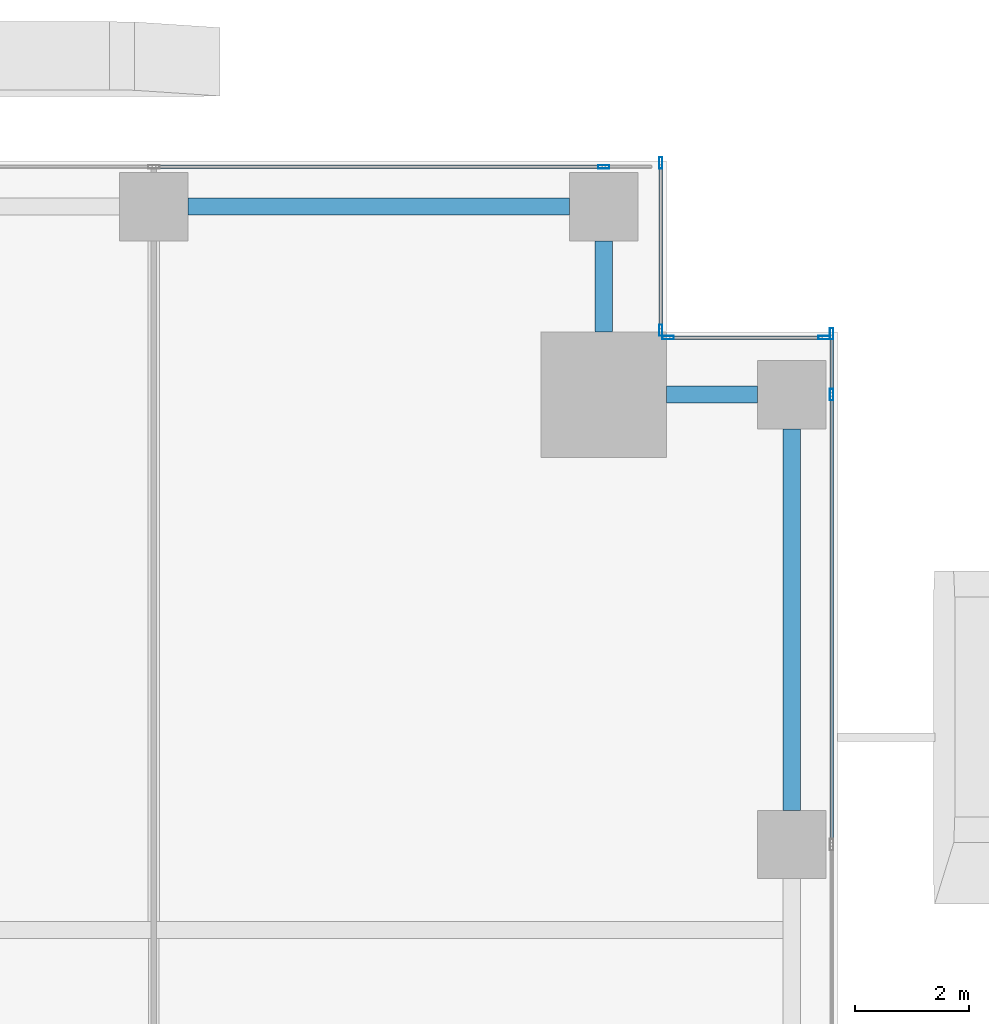
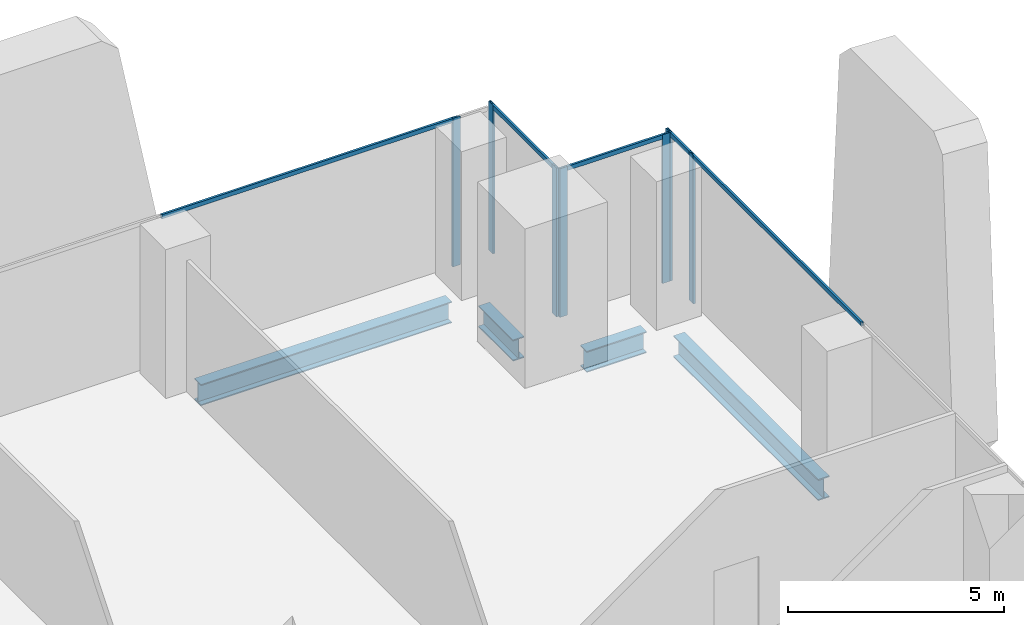
# One storey, part 20 of 34: 12 members, 4 beams, 4 elements without a shape of their own.
"""IFC4 building model written with IfcOpenShell, lengths in metres."""

from ifc_helpers import new_model, si_unit, direction, frame, origin, origin_2d, place, context, subcontext, project, spatial, hollow_rectangle, i_section, extrude, source, transform, mapped, material, material_profile, profile_set, type_object, element, aggregate, save


model = new_model("IFC4")

# Units and contexts
model_context = context("Model", 3, precision=1e-05, world=origin(), true_north=direction((0.0, 1.0)))
body_context = subcontext(model_context, "Body", "Model", "MODEL_VIEW")
ifc_project = project(units=[si_unit("LENGTHUNIT", "METRE"), si_unit("AREAUNIT", "SQUARE_METRE"), si_unit("VOLUMEUNIT", "CUBIC_METRE"), si_unit("PLANEANGLEUNIT", "RADIAN"), si_unit("MASSUNIT", "GRAM", prefix="KILO")], contexts=[model_context])

# Site, building, storey
site_placement = place(None, origin())
site = spatial("IfcSite", under=ifc_project, at=site_placement, CompositionType="ELEMENT")
building_placement = place(site_placement, origin())
building = spatial("IfcBuilding", under=site, at=building_placement, Name="Khomas Fold Tower", CompositionType="ELEMENT")
storey_placement = place(building_placement, frame((0.0, 0.0, 51.0)))
storey = spatial("IfcBuildingStorey", under=building, at=storey_placement, Name="L10", CompositionType="ELEMENT", Elevation=51.0)

# Beams
ifc_material_1 = material(Name="Steel S355", Category="steel")
ifc_material_profile_1 = material_profile(ifc_material_1, i_section(OverallWidth=0.300048828125, OverallDepth=0.60009765625, WebThickness=0.015380859375, FlangeThickness=0.030029296875, at=origin_2d()), Name="HE 600 B")
ifc_profile_set_1 = profile_set([ifc_material_profile_1], Name="Steel S355")
beam_type = type_object("IfcBeamType", Name="HE 600 B spandrel SB1", PredefinedType="SPANDREL", material=ifc_profile_set_1)
shared_shape_1 = source(origin(), body_context, "Body", "SweptSolid", [
    extrude(i_section(OverallWidth=0.300048828125, OverallDepth=0.60009765625, WebThickness=0.015380859375, FlangeThickness=0.030029296875, at=origin_2d()), origin(), (0.0, 0.0, 1.0), 6.699951171875),
])
for number, where, z_axis, x_axis, name in (
    (1, (53.199951171875, 42.60009765625, -0.60009765625), (0.0, 1.0, 0.0), (-1.0, 0.0, 0.0), "SB1"),
    (2, (42.60009765625, 53.199951171875, -0.60009765625), (1.0, 0.0, 0.0), (0.0, 1.0, 0.0), "SB1"),
):
    element("IfcBeam", number, at=place(storey_placement, frame(where, z_axis=z_axis, x_axis=x_axis)), inside=storey, type_object=beam_type, Name=name, PredefinedType="SPANDREL", context=body_context, shape_type="MappedRepresentation", body=[
        mapped(shared_shape_1, transform((0.0, 0.0, 0.0))),
    ])
shared_shape_2 = source(origin(), body_context, "Body", "SweptSolid", [
    extrude(i_section(OverallWidth=0.300048828125, OverallDepth=0.60009765625, WebThickness=0.015380859375, FlangeThickness=0.030029296875, at=origin_2d()), origin(), (0.0, 0.0, 1.0), 1.60009765625),
])
for number, where, z_axis, x_axis, name in (
    (3, (51.0, 49.89990234375, -0.60009765625), (1.0, 0.0, 0.0), (0.0, 1.0, 0.0), "SB1"),
    (4, (49.89990234375, 51.0, -0.60009765625), (0.0, 1.0, 0.0), (-1.0, 0.0, 0.0), "SB1"),
):
    element("IfcBeam", number, at=place(storey_placement, frame(where, z_axis=z_axis, x_axis=x_axis)), inside=storey, type_object=beam_type, Name=name, PredefinedType="SPANDREL", context=body_context, shape_type="MappedRepresentation", body=[
        mapped(shared_shape_2, transform((0.0, 0.0, 0.0))),
    ])

# Curtain wall, member
ifc_material_2 = material(Name="Aluminium framed double glazing", Category="aluminium")
curtain_wall_type = type_object("IfcCurtainWallType", Name="SK-Unitised clear-glass wall, growing floors CW1", PredefinedType="NOTDEFINED", material=ifc_material_2)
curtain_wall_1_placement = place(storey_placement, origin())
curtain_wall_1 = element("IfcCurtainWall", 5, at=curtain_wall_1_placement, inside=storey, type_object=curtain_wall_type, Name="CW1 run L10 03-0", PredefinedType="NOTDEFINED")
ifc_material_3 = material(Name="Aluminium", Category="aluminium")
ifc_material_profile_2 = material_profile(ifc_material_3, hollow_rectangle(XDim=0.06005859375, YDim=0.1201171875, WallThickness=0.00390625, at=origin_2d()), Name="SK-Unitised clear-glass wall, growing floors transom CW1-T")
ifc_profile_set_2 = profile_set([ifc_material_profile_2], Name="Aluminium")
member_type_1 = type_object("IfcMemberType", Name="SK-Unitised clear-glass wall, growing floors transom CW1-T", PredefinedType="USERDEFINED", material=ifc_profile_set_2)
shared_shape_3 = source(origin(), body_context, "Body", "SweptSolid", [
    extrude(hollow_rectangle(XDim=0.06005859375, YDim=0.1201171875, WallThickness=0.00390625, at=origin_2d()), origin(), (0.0, 0.0, 1.0), 7.840087890625),
])
member_1_placement = place(storey_placement, frame((53.89990234375, 42.030029296875, 4.139892578125), z_axis=(0.0, 1.0, 0.0), x_axis=(-1.0, 0.0, 0.0)))
member_1 = element("IfcMember", 6, at=member_1_placement, type_object=member_type_1, Name="CW1 transom 7", ObjectType="TRANSOM", PredefinedType="USERDEFINED", context=body_context, shape_type="MappedRepresentation", body=[
    mapped(shared_shape_3, transform((0.0, 0.0, 0.0))),
])

curtain_wall_2_placement = place(storey_placement, origin())
curtain_wall_2 = element("IfcCurtainWall", 7, at=curtain_wall_2_placement, inside=storey, type_object=curtain_wall_type, Name="CW1 run L10 06-0", PredefinedType="NOTDEFINED")
member_2_placement = place(storey_placement, frame((49.8701171875, 53.89990234375, 4.139892578125), z_axis=(-1.0, 0.0, 0.0), x_axis=(0.0, -1.0, 0.0)))
member_2 = element("IfcMember", 8, at=member_2_placement, type_object=member_type_1, Name="CW1 transom 2", ObjectType="TRANSOM", PredefinedType="USERDEFINED", context=body_context, shape_type="MappedRepresentation", body=[
    mapped(shared_shape_3, transform((0.0, 0.0, 0.0))),
])

# Member
shared_shape_4 = source(origin(), body_context, "Body", "SweptSolid", [
    extrude(hollow_rectangle(XDim=0.06005859375, YDim=0.1201171875, WallThickness=0.00390625, at=origin_2d()), origin(), (0.0, 0.0, 1.0), 1.010009765625),
])
member_3_placement = place(storey_placement, frame((53.89990234375, 49.929931640625, 4.139892578125), z_axis=(0.0, 1.0, 0.0), x_axis=(-1.0, 0.0, 0.0)))
member_3 = element("IfcMember", 9, at=member_3_placement, type_object=member_type_1, Name="CW1 transom 8", ObjectType="TRANSOM", PredefinedType="USERDEFINED", context=body_context, shape_type="MappedRepresentation", body=[
    mapped(shared_shape_4, transform((0.0, 0.0, 0.0))),
])

# Curtain wall, member
curtain_wall_3_placement = place(storey_placement, origin())
curtain_wall_3 = element("IfcCurtainWall", 10, at=curtain_wall_3_placement, inside=storey, type_object=curtain_wall_type, Name="CW1 corner return L10 04", PredefinedType="NOTDEFINED")
shared_shape_5 = source(origin(), body_context, "Body", "SweptSolid", [
    extrude(hollow_rectangle(XDim=0.06005859375, YDim=0.1201171875, WallThickness=0.00390625, at=origin_2d()), origin(), (0.0, 0.0, 1.0), 2.679931640625),
])
member_4_placement = place(storey_placement, frame((53.739990234375, 50.89990234375, 4.139892578125), z_axis=(-1.0, 0.0, 0.0), x_axis=(0.0, -1.0, 0.0)))
member_4 = element("IfcMember", 11, at=member_4_placement, type_object=member_type_1, Name="CW1 transom 1", ObjectType="TRANSOM", PredefinedType="USERDEFINED", context=body_context, shape_type="MappedRepresentation", body=[
    mapped(shared_shape_5, transform((0.0, 0.0, 0.0))),
])

curtain_wall_4_placement = place(storey_placement, origin())
curtain_wall_4 = element("IfcCurtainWall", 12, at=curtain_wall_4_placement, inside=storey, type_object=curtain_wall_type, Name="CW1 corner return L10 05", PredefinedType="NOTDEFINED")
shared_shape_6 = source(origin(), body_context, "Body", "SweptSolid", [
    extrude(hollow_rectangle(XDim=0.06005859375, YDim=0.1201171875, WallThickness=0.00390625, at=origin_2d()), origin(), (0.0, 0.0, 1.0), 2.8798828125),
])
member_5_placement = place(storey_placement, frame((50.89990234375, 51.06005859375, 4.139892578125), z_axis=(0.0, 1.0, 0.0), x_axis=(-1.0, 0.0, 0.0)))
member_5 = element("IfcMember", 13, at=member_5_placement, type_object=member_type_1, Name="CW1 transom 1", ObjectType="TRANSOM", PredefinedType="USERDEFINED", context=body_context, shape_type="MappedRepresentation", body=[
    mapped(shared_shape_6, transform((0.0, 0.0, 0.0))),
])

# Member
ifc_material_4 = material(Name="Aluminium", Category="aluminium")
ifc_material_profile_3 = material_profile(ifc_material_4, hollow_rectangle(XDim=0.06005859375, YDim=0.199951171875, WallThickness=0.00390625, at=origin_2d()), Name="SK-Unitised clear-glass wall, growing floors mullion CW1-M")
ifc_profile_set_3 = profile_set([ifc_material_profile_3], Name="Aluminium")
member_type_2 = type_object("IfcMemberType", Name="SK-Unitised clear-glass wall, growing floors mullion CW1-M", PredefinedType="MULLION", material=ifc_profile_set_3)
shared_shape_7 = source(origin(), body_context, "Body", "SweptSolid", [
    extrude(hollow_rectangle(XDim=0.06005859375, YDim=0.199951171875, WallThickness=0.00390625, at=origin_2d()), origin(), (0.0, 0.0, 1.0), 4.199951171875),
])
member_6_placement = place(storey_placement, frame((53.89990234375, 49.89990234375, 0.0), z_axis=(0.0, 0.0, 1.0), x_axis=(-1.0, 0.0, 0.0)))
member_6 = element("IfcMember", 14, at=member_6_placement, type_object=member_type_2, Name="CW1 mullion 8", PredefinedType="MULLION", context=body_context, shape_type="MappedRepresentation", body=[
    mapped(shared_shape_7, transform((0.0, 0.0, 0.0))),
])

member_7_placement = place(storey_placement, frame((53.89990234375, 50.969970703125, 0.0), z_axis=(0.0, 0.0, 1.0), x_axis=(-1.0, 0.0, 0.0)))
member_7 = element("IfcMember", 15, at=member_7_placement, type_object=member_type_2, Name="CW1 mullion 9", PredefinedType="MULLION", context=body_context, shape_type="MappedRepresentation", body=[
    mapped(shared_shape_7, transform((0.0, 0.0, 0.0))),
])

aggregate(curtain_wall_1, [member_6, member_7, member_1, member_3])

member_8_placement = place(storey_placement, frame((53.77001953125, 50.89990234375, 0.0), z_axis=(0.0, 0.0, 1.0), x_axis=(0.0, -1.0, 0.0)))
member_8 = element("IfcMember", 16, at=member_8_placement, type_object=member_type_2, Name="CW1 mullion 1", PredefinedType="MULLION", context=body_context, shape_type="MappedRepresentation", body=[
    mapped(shared_shape_7, transform((0.0, 0.0, 0.0))),
])

member_9_placement = place(storey_placement, frame((51.030029296875, 50.89990234375, 0.0), z_axis=(0.0, 0.0, 1.0), x_axis=(0.0, -1.0, 0.0)))
member_9 = element("IfcMember", 17, at=member_9_placement, type_object=member_type_2, Name="CW1 mullion 2", PredefinedType="MULLION", context=body_context, shape_type="MappedRepresentation", body=[
    mapped(shared_shape_7, transform((0.0, 0.0, 0.0))),
])

aggregate(curtain_wall_3, [member_8, member_9, member_4])

member_10_placement = place(storey_placement, frame((50.89990234375, 51.030029296875, 0.0), z_axis=(0.0, 0.0, 1.0), x_axis=(-1.0, 0.0, 0.0)))
member_10 = element("IfcMember", 18, at=member_10_placement, type_object=member_type_2, Name="CW1 mullion 1", PredefinedType="MULLION", context=body_context, shape_type="MappedRepresentation", body=[
    mapped(shared_shape_7, transform((0.0, 0.0, 0.0))),
])

member_11_placement = place(storey_placement, frame((50.89990234375, 53.969970703125, 0.0), z_axis=(0.0, 0.0, 1.0), x_axis=(-1.0, 0.0, 0.0)))
member_11 = element("IfcMember", 19, at=member_11_placement, type_object=member_type_2, Name="CW1 mullion 2", PredefinedType="MULLION", context=body_context, shape_type="MappedRepresentation", body=[
    mapped(shared_shape_7, transform((0.0, 0.0, 0.0))),
])

aggregate(curtain_wall_4, [member_10, member_11, member_5])

member_12_placement = place(storey_placement, frame((49.89990234375, 53.89990234375, 0.0), z_axis=(0.0, 0.0, 1.0), x_axis=(0.0, -1.0, 0.0)))
member_12 = element("IfcMember", 20, at=member_12_placement, type_object=member_type_2, Name="CW1 mullion 2", PredefinedType="MULLION", context=body_context, shape_type="MappedRepresentation", body=[
    mapped(shared_shape_7, transform((0.0, 0.0, 0.0))),
])

aggregate(curtain_wall_2, [member_12, member_2])

save(model, "model.ifc")
